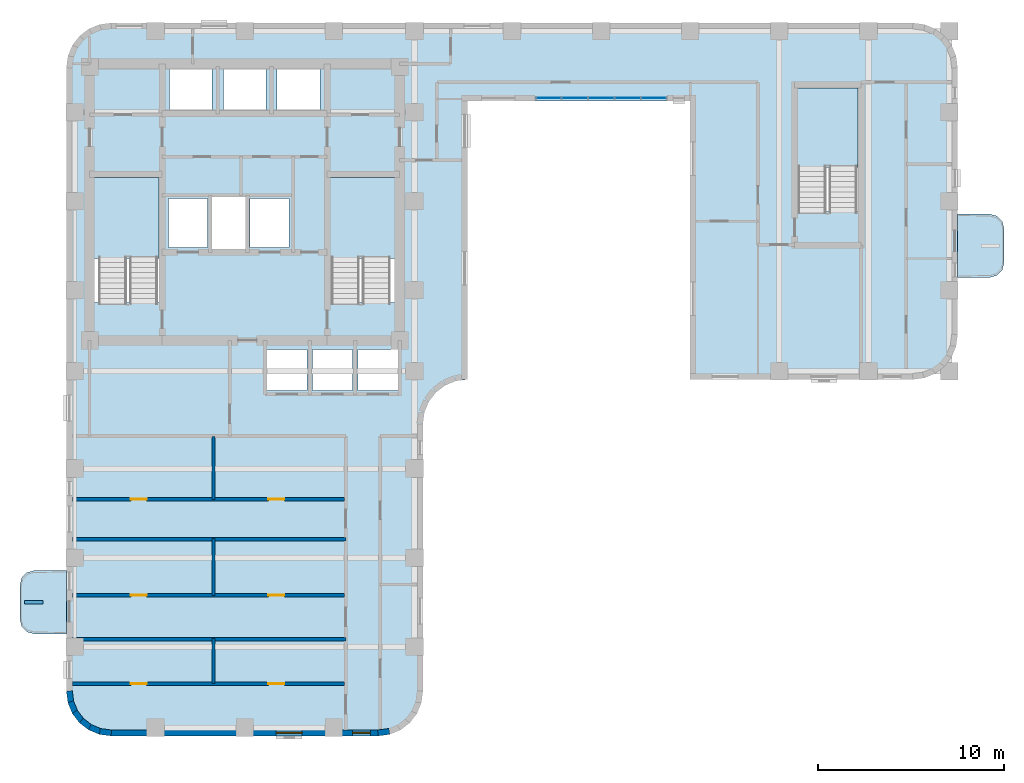
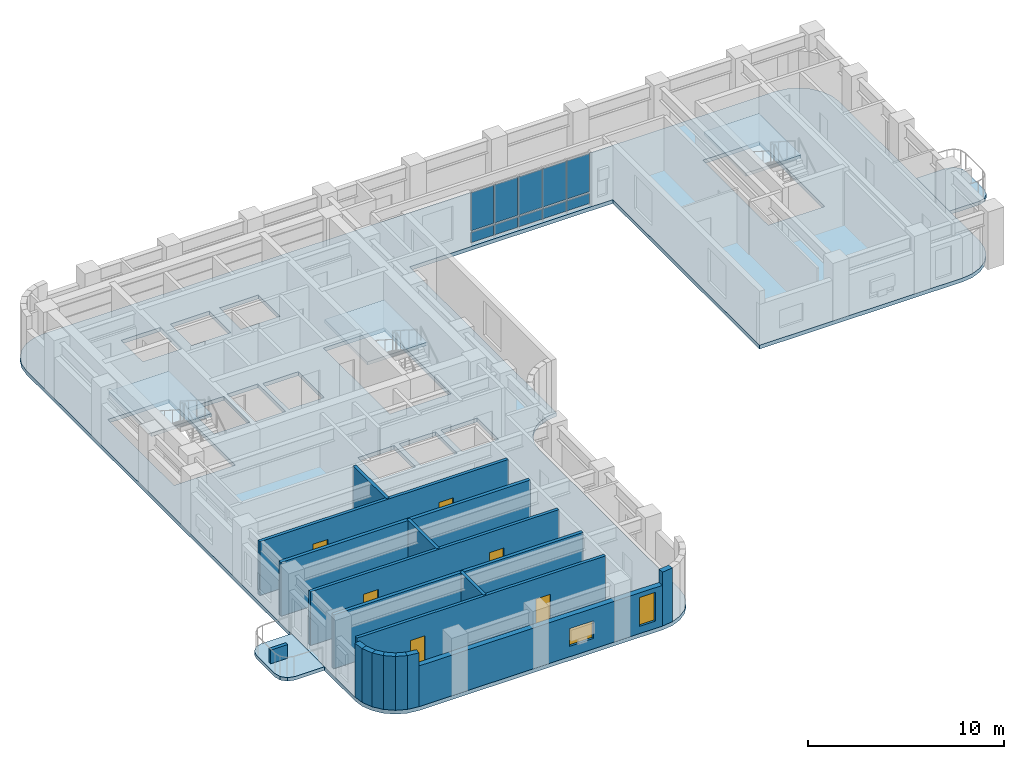
# One storey, part 3 of 11: 17 walls, 10 plates, 6 doors, 6 slabs, 2 windows, 8 openings, 4 elements without a shape of their own.
"""IFC4 building model written with IfcOpenShell, lengths in metres."""

from ifc_helpers import new_model, si_unit, direction, frame, frame_2d, origin, origin_2d, place, context, subcontext, project, spatial, polyline, rectangle, outline, extrude, material, layer, layer_set, type_object, element, fill, aggregate, save


model = new_model("IFC4")

# Units and contexts
model_context = context("Model", 3, precision=1e-05, world=origin(), true_north=direction((0.0, 1.0)))
body_context = subcontext(model_context, "Body", "Model", "MODEL_VIEW")
ifc_project = project(units=[si_unit("LENGTHUNIT", "METRE"), si_unit("AREAUNIT", "SQUARE_METRE"), si_unit("VOLUMEUNIT", "CUBIC_METRE"), si_unit("PLANEANGLEUNIT", "RADIAN"), si_unit("MASSUNIT", "GRAM", prefix="KILO")], contexts=[model_context])

# Site, building, storey
site_placement = place(None, origin())
site = spatial("IfcSite", under=ifc_project, at=site_placement, CompositionType="ELEMENT")
building_placement = place(site_placement, origin())
building = spatial("IfcBuilding", under=site, at=building_placement, Name="Orvandelia Arch Residences", CompositionType="ELEMENT")
storey_placement = place(building_placement, frame((0.0, 0.0, 161.199951171875)))
storey = spatial("IfcBuildingStorey", under=building, at=storey_placement, Name="L42", CompositionType="ELEMENT", Elevation=161.199951171875)

# Curtain wall, plates
ifc_material_1 = material(Name="Anodised Bronze Curtain Wall Assembly")
curtain_wall_type = type_object("IfcCurtainWallType", Name="CW-SYS4-PORTAL", PredefinedType="NOTDEFINED", material=ifc_material_1)
curtain_wall_placement = place(storey_placement, origin())
curtain_wall = element("IfcCurtainWall", 1, at=curtain_wall_placement, inside=storey, type_object=curtain_wall_type, Name="Void-Portal Bridge Curtain Wall L42 1", PredefinedType="NOTDEFINED")
ifc_material_2 = material(Name="Insulated Bronze Aluminium Spandrel Panel", Category="aluminium")
ifc_layer_1 = layer(ifc_material_2, 0.0400390625, Name="Insulated Bronze Aluminium Spandrel Panel", Category="aluminium")
ifc_layer_set_1 = layer_set([ifc_layer_1], Name="Insulated Bronze Aluminium Spandrel Panel")
plate_type_1 = type_object("IfcPlateType", Name="CW-PANEL-SPANDREL", PredefinedType="SHEET", material=ifc_layer_set_1)
plate_1_placement = place(storey_placement, frame((30.77197265625, 43.9599609375, 0.125), z_axis=(0.0, 0.0, 1.0), x_axis=(1.0, 0.0, 0.0)))
plate_1 = element("IfcPlate", 2, at=plate_1_placement, type_object=plate_type_1, Name="Curtain Wall Spandrel Panel CW-L42-1-PS1", PredefinedType="SHEET", context=body_context, shape_type="SweptSolid", body=[
    extrude(rectangle(XDim=1.333984375, YDim=0.0400390625, at=origin_2d()), origin(), (0.0, 0.0, 1.0), 0.62646484375),
])
plate_2_placement = place(storey_placement, frame((32.176025390625, 43.9599609375, 0.125), z_axis=(0.0, 0.0, 1.0), x_axis=(1.0, 0.0, 0.0)))
plate_2 = element("IfcPlate", 3, at=plate_2_placement, type_object=plate_type_1, Name="Curtain Wall Spandrel Panel CW-L42-1-PS2", PredefinedType="SHEET", context=body_context, shape_type="SweptSolid", body=[
    extrude(rectangle(XDim=1.3740234375, YDim=0.0400390625, at=origin_2d()), origin(), (0.0, 0.0, 1.0), 0.62646484375),
])
plate_3_placement = place(storey_placement, frame((33.60009765625, 43.9599609375, 0.125), z_axis=(0.0, 0.0, 1.0), x_axis=(1.0, 0.0, 0.0)))
plate_3 = element("IfcPlate", 4, at=plate_3_placement, type_object=plate_type_1, Name="Curtain Wall Spandrel Panel CW-L42-1-PS3", PredefinedType="SHEET", context=body_context, shape_type="SweptSolid", body=[
    extrude(rectangle(XDim=1.3740234375, YDim=0.0400390625, at=origin_2d()), origin(), (0.0, 0.0, 1.0), 0.62646484375),
])
plate_4_placement = place(storey_placement, frame((35.02392578125, 43.9599609375, 0.125), z_axis=(0.0, 0.0, 1.0), x_axis=(1.0, 0.0, 0.0)))
plate_4 = element("IfcPlate", 5, at=plate_4_placement, type_object=plate_type_1, Name="Curtain Wall Spandrel Panel CW-L42-1-PS4", PredefinedType="SHEET", context=body_context, shape_type="SweptSolid", body=[
    extrude(rectangle(XDim=1.3740234375, YDim=0.0400390625, at=origin_2d()), origin(), (0.0, 0.0, 1.0), 0.62646484375),
])
plate_5_placement = place(storey_placement, frame((36.427978515625, 43.9599609375, 0.125), z_axis=(0.0, 0.0, 1.0), x_axis=(1.0, 0.0, 0.0)))
plate_5 = element("IfcPlate", 6, at=plate_5_placement, type_object=plate_type_1, Name="Curtain Wall Spandrel Panel CW-L42-1-PS5", PredefinedType="SHEET", context=body_context, shape_type="SweptSolid", body=[
    extrude(rectangle(XDim=1.333984375, YDim=0.0400390625, at=origin_2d()), origin(), (0.0, 0.0, 1.0), 0.62646484375),
])
ifc_material_3 = material(Name="Low-E Laminated Double Glazing", Category="glass")
ifc_layer_2 = layer(ifc_material_3, 0.031982421875, Name="Low-E Laminated Double Glazing", Category="glass")
ifc_layer_set_2 = layer_set([ifc_layer_2], Name="Low-E Laminated Double Glazing")
plate_type_2 = type_object("IfcPlateType", Name="CW-PANEL-VISION", PredefinedType="CURTAIN_PANEL", material=ifc_layer_set_2)
plate_6_placement = place(storey_placement, frame((30.77197265625, 43.9599609375, 0.861572265625), z_axis=(0.0, 0.0, 1.0), x_axis=(1.0, 0.0, 0.0)))
plate_6 = element("IfcPlate", 7, at=plate_6_placement, type_object=plate_type_2, Name="Curtain Wall Vision Glass Panel CW-L42-1-PV1", PredefinedType="CURTAIN_PANEL", context=body_context, shape_type="SweptSolid", body=[
    extrude(rectangle(XDim=1.333984375, YDim=0.031982421875, at=origin_2d()), origin(), (0.0, 0.0, 1.0), 2.37353515625),
])
plate_7_placement = place(storey_placement, frame((32.176025390625, 43.9599609375, 0.861572265625), z_axis=(0.0, 0.0, 1.0), x_axis=(1.0, 0.0, 0.0)))
plate_7 = element("IfcPlate", 8, at=plate_7_placement, type_object=plate_type_2, Name="Curtain Wall Vision Glass Panel CW-L42-1-PV2", PredefinedType="CURTAIN_PANEL", context=body_context, shape_type="SweptSolid", body=[
    extrude(rectangle(XDim=1.3740234375, YDim=0.031982421875, at=origin_2d()), origin(), (0.0, 0.0, 1.0), 2.37353515625),
])
plate_8_placement = place(storey_placement, frame((33.60009765625, 43.9599609375, 0.861572265625), z_axis=(0.0, 0.0, 1.0), x_axis=(1.0, 0.0, 0.0)))
plate_8 = element("IfcPlate", 9, at=plate_8_placement, type_object=plate_type_2, Name="Curtain Wall Vision Glass Panel CW-L42-1-PV3", PredefinedType="CURTAIN_PANEL", context=body_context, shape_type="SweptSolid", body=[
    extrude(rectangle(XDim=1.3740234375, YDim=0.031982421875, at=origin_2d()), origin(), (0.0, 0.0, 1.0), 2.37353515625),
])
plate_9_placement = place(storey_placement, frame((35.02392578125, 43.9599609375, 0.861572265625), z_axis=(0.0, 0.0, 1.0), x_axis=(1.0, 0.0, 0.0)))
plate_9 = element("IfcPlate", 10, at=plate_9_placement, type_object=plate_type_2, Name="Curtain Wall Vision Glass Panel CW-L42-1-PV4", PredefinedType="CURTAIN_PANEL", context=body_context, shape_type="SweptSolid", body=[
    extrude(rectangle(XDim=1.3740234375, YDim=0.031982421875, at=origin_2d()), origin(), (0.0, 0.0, 1.0), 2.37353515625),
])
plate_10_placement = place(storey_placement, frame((36.427978515625, 43.9599609375, 0.861572265625), z_axis=(0.0, 0.0, 1.0), x_axis=(1.0, 0.0, 0.0)))
plate_10 = element("IfcPlate", 11, at=plate_10_placement, type_object=plate_type_2, Name="Curtain Wall Vision Glass Panel CW-L42-1-PV5", PredefinedType="CURTAIN_PANEL", context=body_context, shape_type="SweptSolid", body=[
    extrude(rectangle(XDim=1.333984375, YDim=0.031982421875, at=origin_2d()), origin(), (0.0, 0.0, 1.0), 2.37353515625),
])
aggregate(curtain_wall, [plate_1, plate_6, plate_2, plate_7, plate_3, plate_8, plate_4, plate_9, plate_5, plate_10])

# Slabs
ifc_material_4 = material(Name="Precast concrete C40/50", Category="concrete")
ifc_layer_3 = layer(ifc_material_4, 0.219970703125, Name="Precast concrete C40/50", Category="concrete")
ifc_layer_set_3 = layer_set([ifc_layer_3], Name="Precast concrete C40/50")
slab_type_1 = type_object("IfcSlabType", Name="SLB-BAL-220", PredefinedType="USERDEFINED", material=ifc_layer_set_3)
slab_1_placement = place(storey_placement, frame((0.0, 0.0, -0.219970703125)))
element("IfcSlab", 12, at=slab_1_placement, inside=storey, type_object=slab_type_1, Name="Tree Balcony Cantilever Slab BAL-L42-W1", ObjectType="BALCONY", PredefinedType="USERDEFINED", context=body_context, shape_type="SweptSolid", body=[
    extrude(outline(polyline([(4.800048828125, 15.10009765625), (4.800048828125, 18.5), (3.050048828125, 18.5), (2.675048828125, 18.3994140625), (2.400390625, 18.125), (2.300048828125, 17.75), (2.300048828125, 15.85009765625), (2.400390625, 15.47509765625), (2.675048828125, 15.200439453125), (3.050048828125, 15.10009765625), (4.800048828125, 15.10009765625)])), origin(), (0.0, 0.0, 1.0), 0.219970703125),
])
slab_2_placement = place(storey_placement, frame((0.0, 0.0, -0.219970703125)))
element("IfcSlab", 13, at=slab_2_placement, inside=storey, type_object=slab_type_1, Name="Tree Balcony Cantilever Slab BAL-L42-E1", ObjectType="BALCONY", PredefinedType="USERDEFINED", context=body_context, shape_type="SweptSolid", body=[
    extrude(outline(polyline([(52.800048828125, 37.699951171875), (52.800048828125, 34.300048828125), (54.550048828125, 34.300048828125), (54.925048828125, 34.400390625), (55.199462890625, 34.675048828125), (55.300048828125, 35.050048828125), (55.300048828125, 36.949951171875), (55.199462890625, 37.324951171875), (54.925048828125, 37.599609375), (54.550048828125, 37.699951171875), (52.800048828125, 37.699951171875)])), origin(), (0.0, 0.0, 1.0), 0.219970703125),
])

# Stair, slab
ifc_material_5 = material(Name="Concrete C40/50", Category="concrete")
stair_type = type_object("IfcStairType", Name="STAIR-RC-DOGLEG", PredefinedType="HALF_TURN_STAIR", material=ifc_material_5)
stair_1_placement = place(storey_placement, origin())
stair_1 = element("IfcStair", 14, at=stair_1_placement, inside=storey, type_object=stair_type, Name="L42 Protected Exit Stair ST-1", PredefinedType="HALF_TURN_STAIR")
ifc_layer_4 = layer(ifc_material_5, 0.219970703125, Name="Concrete C40/50", Category="concrete")
ifc_layer_set_4 = layer_set([ifc_layer_4], Name="Concrete C40/50")
slab_type_2 = type_object("IfcSlabType", Name="SLB-LANDING-220", PredefinedType="LANDING", material=ifc_layer_set_4)
slab_3_placement = place(storey_placement, frame((0.0, 0.0, 1.60009765625)))
slab_3 = element("IfcSlab", 15, at=slab_3_placement, type_object=slab_type_2, Name="ST-1 landing 1", PredefinedType="LANDING", context=body_context, shape_type="SweptSolid", body=[
    extrude(outline(polyline([(9.800048828125, 35.31005859375), (9.800048828125, 39.68994140625), (6.260009765625, 39.68994140625), (6.260009765625, 35.31005859375), (9.800048828125, 35.31005859375)])), origin(), (0.0, 0.0, 1.0), 0.199951171875),
])
aggregate(stair_1, [slab_3])

stair_2_placement = place(storey_placement, origin())
stair_2 = element("IfcStair", 16, at=stair_2_placement, inside=storey, type_object=stair_type, Name="L42 Protected Exit Stair ST-2", PredefinedType="HALF_TURN_STAIR")
slab_4_placement = place(storey_placement, frame((0.0, 0.0, 1.60009765625)))
slab_4 = element("IfcSlab", 17, at=slab_4_placement, type_object=slab_type_2, Name="ST-2 landing 1", PredefinedType="LANDING", context=body_context, shape_type="SweptSolid", body=[
    extrude(outline(polyline([(22.5400390625, 35.31005859375), (22.5400390625, 39.68994140625), (19.0, 39.68994140625), (19.0, 35.31005859375), (22.5400390625, 35.31005859375)])), origin(), (0.0, 0.0, 1.0), 0.199951171875),
])
aggregate(stair_2, [slab_4])

stair_3_placement = place(storey_placement, origin())
stair_3 = element("IfcStair", 18, at=stair_3_placement, inside=storey, type_object=stair_type, Name="L42 East Wing Exit Stair ST-3", PredefinedType="HALF_TURN_STAIR")
slab_5_placement = place(storey_placement, frame((0.0, 0.0, 1.60009765625)))
slab_5 = element("IfcSlab", 19, at=slab_5_placement, type_object=slab_type_2, Name="ST-3 landing 1", PredefinedType="LANDING", context=body_context, shape_type="SweptSolid", body=[
    extrude(outline(polyline([(47.43994140625, 40.2099609375), (47.43994140625, 44.5), (44.179931640625, 44.5), (44.179931640625, 40.2099609375), (47.43994140625, 40.2099609375)])), origin(), (0.0, 0.0, 1.0), 0.199951171875),
])
aggregate(stair_3, [slab_5])

# Slab
ifc_layer_5 = layer(ifc_material_5, 0.239990234375, Name="Concrete C40/50", Category="concrete")
ifc_layer_set_5 = layer_set([ifc_layer_5], Name="Concrete C40/50")
slab_type_3 = type_object("IfcSlabType", Name="SLB-TWR-240", PredefinedType="FLOOR", material=ifc_layer_set_5)
slab_6_placement = place(storey_placement, frame((0.0, 0.0, -0.239990234375)))
element("IfcSlab", 20, at=slab_6_placement, inside=storey, type_object=slab_type_3, Name="Structural Floor Slab L42-1", PredefinedType="FLOOR", context=body_context, shape_type="SweptSolid", body=[
    extrude(outline(polyline([(4.800048828125, 12.0), (4.8818359375, 11.37890625), (5.12158203125, 10.800048828125), (5.5029296875, 10.302978515625), (6.0, 9.92138671875), (6.578857421875, 9.681884765625), (7.199951171875, 9.60009765625), (21.60009765625, 9.60009765625), (22.22119140625, 9.681884765625), (22.800048828125, 9.92138671875), (23.297119140625, 10.302978515625), (23.678466796875, 10.800048828125), (23.918212890625, 11.37890625), (24.0, 12.0), (24.0, 26.39990234375), (24.081787109375, 27.021240234375), (24.321533203125, 27.60009765625), (24.702880859375, 28.09716796875), (25.199951171875, 28.478515625), (25.77880859375, 28.71826171875), (26.39990234375, 28.800048828125), (26.39990234375, 43.800048828125), (38.39990234375, 43.800048828125), (38.39990234375, 28.800048828125), (50.39990234375, 28.800048828125), (51.021240234375, 28.8818359375), (51.60009765625, 29.12158203125), (52.09716796875, 29.5029296875), (52.478515625, 30.0), (52.71826171875, 30.578857421875), (52.800048828125, 31.199951171875), (52.800048828125, 45.60009765625), (52.71826171875, 46.22119140625), (52.478515625, 46.800048828125), (52.09716796875, 47.297119140625), (51.60009765625, 47.678466796875), (51.021240234375, 47.918212890625), (50.39990234375, 48.0), (7.199951171875, 48.0), (6.578857421875, 47.918212890625), (6.0, 47.678466796875), (5.5029296875, 47.297119140625), (5.12158203125, 46.800048828125), (4.8818359375, 46.22119140625), (4.800048828125, 45.60009765625), (4.800048828125, 12.0)]), holes=[polyline([(6.219970703125, 32.949951171875), (9.840087890625, 32.949951171875), (9.840087890625, 39.72998046875), (6.219970703125, 39.72998046875), (6.219970703125, 32.949951171875)]), polyline([(18.9599609375, 32.949951171875), (22.580078125, 32.949951171875), (22.580078125, 39.72998046875), (18.9599609375, 39.72998046875), (18.9599609375, 32.949951171875)]), polyline([(44.139892578125, 37.85009765625), (47.47998046875, 37.85009765625), (47.47998046875, 44.5400390625), (44.139892578125, 44.5400390625), (44.139892578125, 37.85009765625)]), polyline([(12.639892578125, 35.81005859375), (14.4599609375, 35.81005859375), (14.4599609375, 38.639892578125), (12.639892578125, 38.639892578125), (12.639892578125, 35.81005859375)]), polyline([(10.300048828125, 35.89990234375), (12.39990234375, 35.89990234375), (12.39990234375, 38.550048828125), (10.300048828125, 38.550048828125), (10.300048828125, 35.89990234375)]), polyline([(14.699951171875, 35.89990234375), (16.800048828125, 35.89990234375), (16.800048828125, 38.550048828125), (14.699951171875, 38.550048828125), (14.699951171875, 35.89990234375)]), polyline([(10.35009765625, 43.300048828125), (12.64990234375, 43.300048828125), (12.64990234375, 45.5), (10.35009765625, 45.5), (10.35009765625, 43.300048828125)]), polyline([(13.25, 43.300048828125), (15.550048828125, 43.300048828125), (15.550048828125, 45.5), (13.25, 45.5), (13.25, 43.300048828125)]), polyline([(16.14990234375, 43.300048828125), (18.449951171875, 43.300048828125), (18.449951171875, 45.5), (16.14990234375, 45.5), (16.14990234375, 43.300048828125)]), polyline([(15.60009765625, 28.199951171875), (17.75, 28.199951171875), (17.75, 30.39990234375), (15.60009765625, 30.39990234375), (15.60009765625, 28.199951171875)]), polyline([(18.050048828125, 28.199951171875), (20.199951171875, 28.199951171875), (20.199951171875, 30.39990234375), (18.050048828125, 30.39990234375), (18.050048828125, 28.199951171875)]), polyline([(20.5, 28.199951171875), (22.64990234375, 28.199951171875), (22.64990234375, 30.39990234375), (20.5, 30.39990234375), (20.5, 28.199951171875)])]), origin(), (0.0, 0.0, 1.0), 0.239990234375),
])

# Walls
ifc_layer_6 = layer(ifc_material_5, 0.199951171875, Name="Concrete C40/50", Category="concrete")
ifc_layer_set_6 = layer_set([ifc_layer_6], Name="Concrete C40/50")
wall_type_1 = type_object("IfcWallType", Name="WL-DEM-200", PredefinedType="SOLIDWALL", material=ifc_layer_set_6)
for number, where, z_axis, x_axis, name in (
    (21, (5.1201171875, 14.800048828125, 0.0), (0.0, 0.0, 1.0), (1.0, 0.0, 0.0), "Interior Partition Wall WL-L42-DEM-WL-148"),
    (22, (5.1201171875, 20.199951171875, 0.0), (0.0, 0.0, 1.0), (1.0, 0.0, 0.0), "Interior Partition Wall WL-L42-DEM-WL-202"),
):
    element("IfcWall", number, at=place(storey_placement, frame(where, z_axis=z_axis, x_axis=x_axis)), inside=storey, type_object=wall_type_1, Name=name, PredefinedType="SOLIDWALL", context=body_context, shape_type="SweptSolid", body=[
        extrude(rectangle(XDim=14.72998046875, YDim=0.199951171875, at=frame_2d((7.364990234375, 0.0))), origin(), (0.0, 0.0, 1.0), 3.360107421875),
    ])
ifc_layer_7 = layer(ifc_material_4, 0.320068359375, Name="Precast concrete C40/50", Category="concrete")
ifc_layer_set_7 = layer_set([ifc_layer_7], Name="Precast concrete C40/50")
wall_type_2 = type_object("IfcWallType", Name="WL-EXT-STONE-320", PredefinedType="STANDARD", material=ifc_layer_set_7)
wall_1_placement = place(storey_placement, frame((22.2001953125, 9.84033203125, 0.0), z_axis=(0.0, 0.0, 1.0), x_axis=(-0.9914410257, -0.130555323746, 0.0)))
element("IfcWall", 23, at=wall_1_placement, inside=storey, type_object=wall_type_2, Name="Coral-Limestone Precast Facade Wall L42-038", PredefinedType="STANDARD", context=body_context, shape_type="SweptSolid", body=[
    extrude(rectangle(XDim=0.62646484375, YDim=0.320068359375, at=frame_2d((0.313232421875, 0.0))), origin(), (0.0, 0.0, 1.0), 3.360107421875),
])

# Wall, openings, windows
wall_2_placement = place(storey_placement, frame((21.60009765625, 9.760009765625, 0.0), z_axis=(0.0, 0.0, 1.0), x_axis=(-1.0, 0.0, 0.0)))
wall_2 = element("IfcWall", 24, at=wall_2_placement, inside=storey, type_object=wall_type_2, Name="Coral-Limestone Precast Facade Wall L42-039", PredefinedType="STANDARD", context=body_context, shape_type="SweptSolid", body=[
    extrude(rectangle(XDim=14.400146484375, YDim=0.320068359375, at=frame_2d((7.2001953125, 0.0))), origin(), (0.0, 0.0, 1.0), 2.5400390625),
])
opening_1_placement = place(wall_2_placement, frame((4.10009765625, 0.0, 0.64990234375)))
opening_1 = element("IfcOpeningElement", 25, at=opening_1_placement, cuts=wall_2, Name="Opening W10", PredefinedType="OPENING", context=body_context, shape_type="SweptSolid", body=[
    extrude(rectangle(XDim=1.39990234375, YDim=1.10009765625, at=frame_2d((0.699951171875, 0.550048828125))), frame((0.0, 0.169921875, 0.0), z_axis=(0.0, -1.0, 0.0), x_axis=(1.0, 0.0, 0.0)), (0.0, 0.0, 1.0), 0.340087890625),
])
opening_2_placement = place(wall_2_placement, frame((0.429931640625, 0.0, 0.449951171875)))
opening_2 = element("IfcOpeningElement", 26, at=opening_2_placement, cuts=wall_2, Name="Opening W4", PredefinedType="OPENING", context=body_context, shape_type="SweptSolid", body=[
    extrude(rectangle(XDim=0.949951171875, YDim=1.800048828125, at=frame_2d((0.47509765625, 0.89990234375))), frame((0.0, 0.169921875, 0.0), z_axis=(0.0, -1.0, 0.0), x_axis=(1.0, 0.0, 0.0)), (0.0, 0.0, 1.0), 0.340087890625),
])
ifc_material_6 = material(Name="Tempered Low-E Insulated Glazing", Category="glass")
window_type_1 = type_object("IfcWindowType", Name="WIN-CLR-1400x1100", PartitioningType="SINGLE_PANEL", PredefinedType="WINDOW", material=ifc_material_6)
window_1_placement = place(opening_1_placement, origin())
window_1 = element("IfcWindow", 27, at=window_1_placement, inside=storey, type_object=window_type_1, Name="Recessed Punched Window L42-018", OverallHeight=1.10009765625, OverallWidth=1.39990234375, PartitioningType="SINGLE_PANEL", PredefinedType="WINDOW", context=body_context, shape_type="SweptSolid", body=[
    extrude(rectangle(XDim=1.39990234375, YDim=1.10009765625, at=frame_2d((0.699951171875, 0.550048828125))), frame((0.0, 0.030029296875, 0.0), z_axis=(0.0, -1.0, 0.0), x_axis=(1.0, 0.0, 0.0)), (0.0, 0.0, 1.0), 0.06005859375),
])
fill(opening_1, window_1)
window_type_2 = type_object("IfcWindowType", Name="WIN-RES-0950x1800", PartitioningType="SINGLE_PANEL", PredefinedType="WINDOW", material=ifc_material_6)
window_2_placement = place(opening_2_placement, origin())
window_2 = element("IfcWindow", 28, at=window_2_placement, inside=storey, type_object=window_type_2, Name="Recessed Punched Window L42-019", OverallHeight=1.800048828125, OverallWidth=0.949951171875, PartitioningType="SINGLE_PANEL", PredefinedType="WINDOW", context=body_context, shape_type="SweptSolid", body=[
    extrude(rectangle(XDim=0.949951171875, YDim=1.800048828125, at=frame_2d((0.47509765625, 0.89990234375))), frame((0.0, 0.030029296875, 0.0), z_axis=(0.0, -1.0, 0.0), x_axis=(1.0, 0.0, 0.0)), (0.0, 0.0, 1.0), 0.06005859375),
])
fill(opening_2, window_2)

# Walls
wall_3_placement = place(storey_placement, frame((7.220947265625, 9.758544921875, 0.0), z_axis=(0.0, 0.0, 1.0), x_axis=(-0.991447664465, 0.130504898859, 0.0)))
element("IfcWall", 29, at=wall_3_placement, inside=storey, type_object=wall_type_2, Name="Coral-Limestone Precast Facade Wall L42-040", PredefinedType="STANDARD", context=body_context, shape_type="SweptSolid", body=[
    extrude(rectangle(XDim=0.626708984375, YDim=0.320068359375, at=frame_2d((0.3134765625, 0.0))), origin(), (0.0, 0.0, 1.0), 3.360107421875),
])
wall_4_placement = place(storey_placement, frame((6.639892578125, 9.82958984375, 0.0), z_axis=(0.0, 0.0, 1.0), x_axis=(-0.923836271867, 0.382787856107, 0.0)))
element("IfcWall", 30, at=wall_4_placement, inside=storey, type_object=wall_type_2, Name="Coral-Limestone Precast Facade Wall L42-041", PredefinedType="STANDARD", context=body_context, shape_type="SweptSolid", body=[
    extrude(rectangle(XDim=0.626220703125, YDim=0.320068359375, at=frame_2d((0.31298828125, 0.0))), origin(), (0.0, 0.0, 1.0), 3.360107421875),
])
wall_5_placement = place(storey_placement, frame((6.097412109375, 10.04833984375, 0.0), z_axis=(0.0, 0.0, 1.0), x_axis=(-0.793405610854, 0.608693302629, 0.0)))
element("IfcWall", 31, at=wall_5_placement, inside=storey, type_object=wall_type_2, Name="Coral-Limestone Precast Facade Wall L42-042", PredefinedType="STANDARD", context=body_context, shape_type="SweptSolid", body=[
    extrude(rectangle(XDim=0.62646484375, YDim=0.320068359375, at=frame_2d((0.313232421875, 0.0))), origin(), (0.0, 0.0, 1.0), 3.360107421875),
])
wall_6_placement = place(storey_placement, frame((5.6298828125, 10.400390625, 0.0), z_axis=(0.0, 0.0, 1.0), x_axis=(-0.608938521285, 0.7932174212, 0.0)))
element("IfcWall", 32, at=wall_6_placement, inside=storey, type_object=wall_type_2, Name="Coral-Limestone Precast Facade Wall L42-043", PredefinedType="STANDARD", context=body_context, shape_type="SweptSolid", body=[
    extrude(rectangle(XDim=0.626708984375, YDim=0.320068359375, at=frame_2d((0.3134765625, 0.0))), origin(), (0.0, 0.0, 1.0), 3.360107421875),
])
wall_7_placement = place(storey_placement, frame((5.269287109375, 10.861083984375, 0.0), z_axis=(0.0, 0.0, 1.0), x_axis=(-0.382650053678, 0.92389335771, 0.0)))
element("IfcWall", 33, at=wall_7_placement, inside=storey, type_object=wall_type_2, Name="Coral-Limestone Precast Facade Wall L42-044", PredefinedType="STANDARD", context=body_context, shape_type="SweptSolid", body=[
    extrude(rectangle(XDim=0.62646484375, YDim=0.320068359375, at=frame_2d((0.313232421875, 0.0))), origin(), (0.0, 0.0, 1.0), 3.360107421875),
])
wall_8_placement = place(storey_placement, frame((5.040283203125, 11.399658203125, 0.0), z_axis=(0.0, 0.0, 1.0), x_axis=(-0.130504898859, 0.991447664465, 0.0)))
element("IfcWall", 34, at=wall_8_placement, inside=storey, type_object=wall_type_2, Name="Coral-Limestone Precast Facade Wall L42-045", PredefinedType="STANDARD", context=body_context, shape_type="SweptSolid", body=[
    extrude(rectangle(XDim=0.626708984375, YDim=0.320068359375, at=frame_2d((0.3134765625, 0.0))), origin(), (0.0, 0.0, 1.0), 3.360107421875),
])
ifc_layer_8 = layer(ifc_material_4, 0.199951171875, Name="Precast concrete C40/50", Category="concrete")
ifc_layer_set_8 = layer_set([ifc_layer_8], Name="Precast concrete C40/50")
wall_type_3 = type_object("IfcWallType", Name="WL-PLANTER-200", PredefinedType="MOVABLE", material=ifc_layer_set_8)
wall_9_placement = place(storey_placement, frame((2.550048828125, 16.800048828125, 0.0), z_axis=(0.0, 0.0, 1.0), x_axis=(1.0, 0.0, 0.0)))
element("IfcWall", 35, at=wall_9_placement, inside=storey, type_object=wall_type_3, Name="Balcony Precast Tree Planter BAL-L42-W1", PredefinedType="MOVABLE", context=body_context, shape_type="SweptSolid", body=[
    extrude(rectangle(XDim=1.0, YDim=0.199951171875, at=frame_2d((0.5, 0.0))), origin(), (0.0, 0.0, 1.0), 0.85009765625),
])

# Wall, openings, doors
ifc_material_7 = material(Name="Moisture-Resistant Plumbing Wall")
ifc_layer_9 = layer(ifc_material_7, 0.179931640625, Name="Moisture-Resistant Plumbing Wall")
ifc_layer_set_9 = layer_set([ifc_layer_9], Name="Moisture-Resistant Plumbing Wall")
wall_type_4 = type_object("IfcWallType", Name="WL-WET-180", PredefinedType="PLUMBINGWALL", material=ifc_layer_set_9)
wall_10_placement = place(storey_placement, frame((5.1201171875, 12.409912109375, 0.0), z_axis=(0.0, 0.0, 1.0), x_axis=(1.0, 0.0, 0.0)))
wall_10 = element("IfcWall", 36, at=wall_10_placement, inside=storey, type_object=wall_type_4, Name="Interior Partition Wall WL-L42-U01-HZ", PredefinedType="PLUMBINGWALL", context=body_context, shape_type="SweptSolid", body=[
    extrude(rectangle(XDim=14.669921875, YDim=0.179931640625, at=frame_2d((7.3349609375, 0.0))), origin(), (0.0, 0.0, 1.0), 3.360107421875),
])
opening_3_placement = place(wall_10_placement, frame((3.14501953125, 0.0, 0.0)))
opening_3 = element("IfcOpeningElement", 37, at=opening_3_placement, cuts=wall_10, Name="Opening D4", PredefinedType="OPENING", context=body_context, shape_type="SweptSolid", body=[
    extrude(rectangle(XDim=0.860107421875, YDim=2.10009765625, at=frame_2d((0.43017578125, 1.050048828125))), frame((0.0, 0.10009765625, 0.0), z_axis=(0.0, -1.0, 0.0), x_axis=(1.0, 0.0, 0.0)), (0.0, 0.0, 1.0), 0.199951171875),
])
opening_4_placement = place(wall_10_placement, frame((10.56005859375, 0.0, 0.0)))
opening_4 = element("IfcOpeningElement", 38, at=opening_4_placement, cuts=wall_10, Name="Opening D4", PredefinedType="OPENING", context=body_context, shape_type="SweptSolid", body=[
    extrude(rectangle(XDim=0.860107421875, YDim=2.10009765625, at=frame_2d((0.43017578125, 1.050048828125))), frame((0.0, 0.10009765625, 0.0), z_axis=(0.0, -1.0, 0.0), x_axis=(1.0, 0.0, 0.0)), (0.0, 0.0, 1.0), 0.199951171875),
])
ifc_material_8 = material(Name="Moisture-Sealed Timber Bathroom Door", Category="wood")
door_type = type_object("IfcDoorType", Name="DR-WET-900", OperationType="NOTDEFINED", PredefinedType="DOOR", material=ifc_material_8)
door_1_placement = place(opening_3_placement, origin())
door_1 = element("IfcDoor", 39, at=door_1_placement, inside=storey, type_object=door_type, Name="DR-L42-U01-KIT", OperationType="SINGLE_SWING_LEFT", OverallHeight=2.10009765625, OverallWidth=0.860107421875, PredefinedType="DOOR", context=body_context, shape_type="SweptSolid", body=[
    extrude(rectangle(XDim=0.860107421875, YDim=2.10009765625, at=frame_2d((0.43017578125, 1.050048828125))), frame((0.0, 0.02490234375, 0.0), z_axis=(0.0, -1.0, 0.0), x_axis=(1.0, 0.0, 0.0)), (0.0, 0.0, 1.0), 0.050048828125),
])
fill(opening_3, door_1)
door_2_placement = place(opening_4_placement, origin())
door_2 = element("IfcDoor", 40, at=door_2_placement, inside=storey, type_object=door_type, Name="DR-L42-U01-BTH", OperationType="SINGLE_SWING_RIGHT", OverallHeight=2.10009765625, OverallWidth=0.860107421875, PredefinedType="DOOR", context=body_context, shape_type="SweptSolid", body=[
    extrude(rectangle(XDim=0.860107421875, YDim=2.10009765625, at=frame_2d((0.43017578125, 1.050048828125))), frame((0.0, 0.02490234375, 0.0), z_axis=(0.0, -1.0, 0.0), x_axis=(1.0, 0.0, 0.0)), (0.0, 0.0, 1.0), 0.050048828125),
])
fill(opening_4, door_2)

# Wall
wall_11_placement = place(storey_placement, frame((12.719970703125, 12.409912109375, 0.0), z_axis=(0.0, 0.0, 1.0), x_axis=(0.0, 1.0, 0.0)))
element("IfcWall", 41, at=wall_11_placement, inside=storey, type_object=wall_type_4, Name="Interior Partition Wall WL-L42-U01-V1", PredefinedType="PLUMBINGWALL", context=body_context, shape_type="SweptSolid", body=[
    extrude(rectangle(XDim=2.43017578125, YDim=0.179931640625, at=frame_2d((1.215087890625, 0.0))), origin(), (0.0, 0.0, 1.0), 3.360107421875),
])

# Wall, openings, doors
wall_12_placement = place(storey_placement, frame((5.1201171875, 17.176025390625, 0.0), z_axis=(0.0, 0.0, 1.0), x_axis=(1.0, 0.0, 0.0)))
wall_12 = element("IfcWall", 42, at=wall_12_placement, inside=storey, type_object=wall_type_4, Name="Interior Partition Wall WL-L42-U02-HZ", PredefinedType="PLUMBINGWALL", context=body_context, shape_type="SweptSolid", body=[
    extrude(rectangle(XDim=14.669921875, YDim=0.179931640625, at=frame_2d((7.3349609375, 0.0))), origin(), (0.0, 0.0, 1.0), 3.360107421875),
])
opening_5_placement = place(wall_12_placement, frame((3.14501953125, 0.0, 0.0)))
opening_5 = element("IfcOpeningElement", 43, at=opening_5_placement, cuts=wall_12, Name="Opening D4", PredefinedType="OPENING", context=body_context, shape_type="SweptSolid", body=[
    extrude(rectangle(XDim=0.860107421875, YDim=2.10009765625, at=frame_2d((0.43017578125, 1.050048828125))), frame((0.0, 0.10009765625, 0.0), z_axis=(0.0, -1.0, 0.0), x_axis=(1.0, 0.0, 0.0)), (0.0, 0.0, 1.0), 0.199951171875),
])
opening_6_placement = place(wall_12_placement, frame((10.56005859375, 0.0, 0.0)))
opening_6 = element("IfcOpeningElement", 44, at=opening_6_placement, cuts=wall_12, Name="Opening D4", PredefinedType="OPENING", context=body_context, shape_type="SweptSolid", body=[
    extrude(rectangle(XDim=0.860107421875, YDim=2.10009765625, at=frame_2d((0.43017578125, 1.050048828125))), frame((0.0, 0.10009765625, 0.0), z_axis=(0.0, -1.0, 0.0), x_axis=(1.0, 0.0, 0.0)), (0.0, 0.0, 1.0), 0.199951171875),
])
door_3_placement = place(opening_5_placement, origin())
door_3 = element("IfcDoor", 45, at=door_3_placement, inside=storey, type_object=door_type, Name="DR-L42-U02-KIT", OperationType="SINGLE_SWING_RIGHT", OverallHeight=2.10009765625, OverallWidth=0.860107421875, PredefinedType="DOOR", context=body_context, shape_type="SweptSolid", body=[
    extrude(rectangle(XDim=0.860107421875, YDim=2.10009765625, at=frame_2d((0.43017578125, 1.050048828125))), frame((0.0, 0.02490234375, 0.0), z_axis=(0.0, -1.0, 0.0), x_axis=(1.0, 0.0, 0.0)), (0.0, 0.0, 1.0), 0.050048828125),
])
fill(opening_5, door_3)
door_4_placement = place(opening_6_placement, origin())
door_4 = element("IfcDoor", 46, at=door_4_placement, inside=storey, type_object=door_type, Name="DR-L42-U02-BTH", OperationType="SINGLE_SWING_LEFT", OverallHeight=2.10009765625, OverallWidth=0.860107421875, PredefinedType="DOOR", context=body_context, shape_type="SweptSolid", body=[
    extrude(rectangle(XDim=0.860107421875, YDim=2.10009765625, at=frame_2d((0.43017578125, 1.050048828125))), frame((0.0, 0.02490234375, 0.0), z_axis=(0.0, -1.0, 0.0), x_axis=(1.0, 0.0, 0.0)), (0.0, 0.0, 1.0), 0.050048828125),
])
fill(opening_6, door_4)

# Wall
wall_13_placement = place(storey_placement, frame((12.719970703125, 17.176025390625, 0.0), z_axis=(0.0, 0.0, 1.0), x_axis=(0.0, 1.0, 0.0)))
element("IfcWall", 47, at=wall_13_placement, inside=storey, type_object=wall_type_4, Name="Interior Partition Wall WL-L42-U02-V1", PredefinedType="PLUMBINGWALL", context=body_context, shape_type="SweptSolid", body=[
    extrude(rectangle(XDim=3.06396484375, YDim=0.179931640625, at=frame_2d((1.531982421875, 0.0))), origin(), (0.0, 0.0, 1.0), 3.360107421875),
])

# Wall, openings, doors
wall_14_placement = place(storey_placement, frame((5.1201171875, 22.340087890625, 0.0), z_axis=(0.0, 0.0, 1.0), x_axis=(1.0, 0.0, 0.0)))
wall_14 = element("IfcWall", 48, at=wall_14_placement, inside=storey, type_object=wall_type_4, Name="Interior Partition Wall WL-L42-U03-HZ", PredefinedType="PLUMBINGWALL", context=body_context, shape_type="SweptSolid", body=[
    extrude(rectangle(XDim=14.669921875, YDim=0.179931640625, at=frame_2d((7.3349609375, 0.0))), origin(), (0.0, 0.0, 1.0), 3.360107421875),
])
opening_7_placement = place(wall_14_placement, frame((3.14501953125, 0.0, 0.0)))
opening_7 = element("IfcOpeningElement", 49, at=opening_7_placement, cuts=wall_14, Name="Opening D4", PredefinedType="OPENING", context=body_context, shape_type="SweptSolid", body=[
    extrude(rectangle(XDim=0.860107421875, YDim=2.10009765625, at=frame_2d((0.43017578125, 1.050048828125))), frame((0.0, 0.10009765625, 0.0), z_axis=(0.0, -1.0, 0.0), x_axis=(1.0, 0.0, 0.0)), (0.0, 0.0, 1.0), 0.199951171875),
])
opening_8_placement = place(wall_14_placement, frame((10.56005859375, 0.0, 0.0)))
opening_8 = element("IfcOpeningElement", 50, at=opening_8_placement, cuts=wall_14, Name="Opening D4", PredefinedType="OPENING", context=body_context, shape_type="SweptSolid", body=[
    extrude(rectangle(XDim=0.860107421875, YDim=2.10009765625, at=frame_2d((0.43017578125, 1.050048828125))), frame((0.0, 0.10009765625, 0.0), z_axis=(0.0, -1.0, 0.0), x_axis=(1.0, 0.0, 0.0)), (0.0, 0.0, 1.0), 0.199951171875),
])
door_5_placement = place(opening_7_placement, origin())
door_5 = element("IfcDoor", 51, at=door_5_placement, inside=storey, type_object=door_type, Name="DR-L42-U03-KIT", OperationType="SINGLE_SWING_LEFT", OverallHeight=2.10009765625, OverallWidth=0.860107421875, PredefinedType="DOOR", context=body_context, shape_type="SweptSolid", body=[
    extrude(rectangle(XDim=0.860107421875, YDim=2.10009765625, at=frame_2d((0.43017578125, 1.050048828125))), frame((0.0, 0.02490234375, 0.0), z_axis=(0.0, -1.0, 0.0), x_axis=(1.0, 0.0, 0.0)), (0.0, 0.0, 1.0), 0.050048828125),
])
fill(opening_7, door_5)
door_6_placement = place(opening_8_placement, origin())
door_6 = element("IfcDoor", 52, at=door_6_placement, inside=storey, type_object=door_type, Name="DR-L42-U03-BTH", OperationType="SINGLE_SWING_RIGHT", OverallHeight=2.10009765625, OverallWidth=0.860107421875, PredefinedType="DOOR", context=body_context, shape_type="SweptSolid", body=[
    extrude(rectangle(XDim=0.860107421875, YDim=2.10009765625, at=frame_2d((0.43017578125, 1.050048828125))), frame((0.0, 0.02490234375, 0.0), z_axis=(0.0, -1.0, 0.0), x_axis=(1.0, 0.0, 0.0)), (0.0, 0.0, 1.0), 0.050048828125),
])
fill(opening_8, door_6)

# Wall
wall_15_placement = place(storey_placement, frame((12.719970703125, 22.340087890625, 0.0), z_axis=(0.0, 0.0, 1.0), x_axis=(0.0, 1.0, 0.0)))
element("IfcWall", 53, at=wall_15_placement, inside=storey, type_object=wall_type_4, Name="Interior Partition Wall WL-L42-U03-V1", PredefinedType="PLUMBINGWALL", context=body_context, shape_type="SweptSolid", body=[
    extrude(rectangle(XDim=3.3798828125, YDim=0.179931640625, at=frame_2d((1.68994140625, 0.0))), origin(), (0.0, 0.0, 1.0), 3.360107421875),
])

save(model, "model.ifc")
